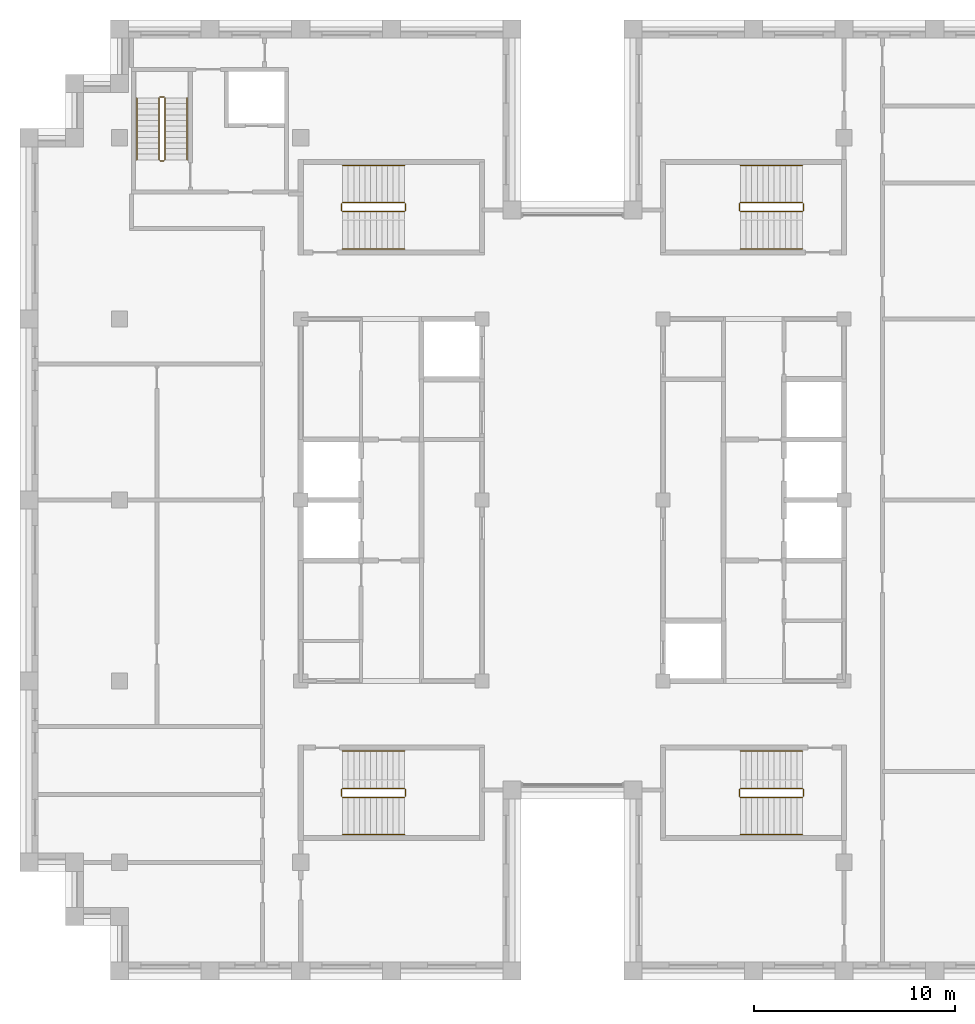
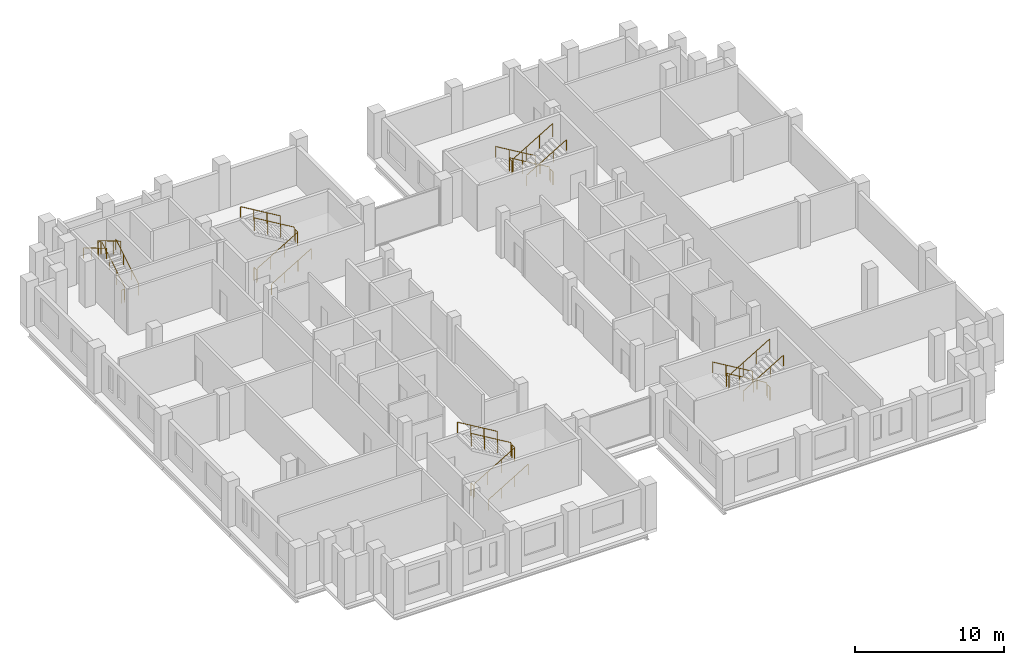
# One storey, part 13 of 13: 5 railings.
"""IFC4 building model written with IfcOpenShell, lengths in metres."""

from ifc_helpers import new_model, si_unit, direction, frame, origin, origin_2d, place, context, subcontext, project, spatial, circle, extrude, material, type_object, element, save


model = new_model("IFC4")

# Units and contexts
model_context = context("Model", 3, precision=1e-05, world=origin(), true_north=direction((0.0, 1.0)))
body_context = subcontext(model_context, "Body", "Model", "MODEL_VIEW")
ifc_project = project(units=[si_unit("LENGTHUNIT", "METRE"), si_unit("AREAUNIT", "SQUARE_METRE"), si_unit("VOLUMEUNIT", "CUBIC_METRE"), si_unit("PLANEANGLEUNIT", "RADIAN"), si_unit("MASSUNIT", "GRAM", prefix="KILO")], contexts=[model_context])

# Site, building, storey
site_placement = place(None, origin())
site = spatial("IfcSite", under=ifc_project, at=site_placement, CompositionType="ELEMENT")
building_placement = place(site_placement, origin())
building = spatial("IfcBuilding", under=site, at=building_placement, Name="Corbelhall Arena Tower", CompositionType="ELEMENT")
storey_placement = place(building_placement, frame((0.0, 0.0, 304.0)))
storey = spatial("IfcBuildingStorey", under=building, at=storey_placement, Name="L66", CompositionType="ELEMENT", Elevation=304.0)

# Railings
ifc_material = material(Name="Steel ASTM A500 Gr C", Category="steel")
railing_type = type_object("IfcRailingType", Name="IN-GD-1100", PredefinedType="GUARDRAIL", material=ifc_material)
railing_1_placement = place(storey_placement, frame((-11.425048828125, 14.324951171875, 0.166748046875)))
element("IfcRailing", 1, at=railing_1_placement, inside=storey, type_object=railing_type, Name="L66 ST1 stair guards and handrails", PredefinedType="GUARDRAIL", context=body_context, shape_type="SweptSolid", body=[
    extrude(circle(Radius=0.02392578125, at=origin_2d()), frame((0.0, 0.0, 1.076171875), z_axis=(0.859308565015, 0.0, 0.511457515432), x_axis=(0.0, 1.0, 0.0)), (0.0, 0.0, 1.0), 3.58447265625),
    extrude(circle(Radius=0.02392578125, at=origin_2d()), frame((3.130126953125, 0.050048828125, 2.9091796875), z_axis=(0.0, 1.0, 0.0), x_axis=(-1.0, 0.0, 0.0)), (0.0, 0.0, 1.0), 0.35009765625),
    extrude(circle(Radius=0.02392578125, at=origin_2d()), frame((3.080078125, 0.449951171875, 3.076171875), z_axis=(-0.859308565015, 0.0, 0.511457515432), x_axis=(0.0, -1.0, 0.0)), (0.0, 0.0, 1.0), 3.58447265625),
    extrude(circle(Radius=0.02392578125, at=origin_2d()), frame((-0.050048828125, 0.050048828125, 0.9091796875), z_axis=(0.0, 1.0, 0.0), x_axis=(-1.0, 0.0, 0.0)), (0.0, 0.0, 1.0), 0.35009765625),
    extrude(circle(Radius=0.02392578125, at=origin_2d()), frame((0.0, -1.849853515625, 0.8759765625), z_axis=(0.859308565015, 0.0, 0.511457515432), x_axis=(0.0, 1.0, 0.0)), (0.0, 0.0, 1.0), 3.58447265625),
    extrude(circle(Radius=0.02392578125, at=origin_2d()), frame((3.080078125, 2.300048828125, 2.8759765625), z_axis=(-0.859308565015, 0.0, 0.511457515432), x_axis=(0.0, -1.0, 0.0)), (0.0, 0.0, 1.0), 3.58447265625),
    extrude(circle(Radius=0.02099609375, at=origin_2d()), origin(), (0.0, 0.0, 1.0), 1.052001953125),
    extrude(circle(Radius=0.02099609375, at=origin_2d()), frame((1.026611328125, 0.0, 0.611083984375)), (0.0, 0.0, 1.0), 1.052001953125),
    extrude(circle(Radius=0.02099609375, at=origin_2d()), frame((2.053466796875, 0.0, 1.22216796875)), (0.0, 0.0, 1.0), 1.052001953125),
    extrude(circle(Radius=0.02099609375, at=origin_2d()), frame((3.080078125, 0.0, 1.833251953125)), (0.0, 0.0, 1.0), 1.052001953125),
    extrude(circle(Radius=0.02099609375, at=origin_2d()), frame((3.130126953125, 0.050048828125, 1.833251953125)), (0.0, 0.0, 1.0), 1.052001953125),
    extrude(circle(Radius=0.02099609375, at=origin_2d()), frame((3.130126953125, 0.400146484375, 1.833251953125)), (0.0, 0.0, 1.0), 1.052001953125),
    extrude(circle(Radius=0.02099609375, at=origin_2d()), frame((3.080078125, 0.449951171875, 2.0)), (0.0, 0.0, 1.0), 1.052001953125),
    extrude(circle(Radius=0.02099609375, at=origin_2d()), frame((2.053466796875, 0.449951171875, 2.611083984375)), (0.0, 0.0, 1.0), 1.052001953125),
    extrude(circle(Radius=0.02099609375, at=origin_2d()), frame((1.026611328125, 0.449951171875, 3.22216796875)), (0.0, 0.0, 1.0), 1.052001953125),
    extrude(circle(Radius=0.02099609375, at=origin_2d()), frame((0.0, 0.449951171875, 3.833251953125)), (0.0, 0.0, 1.0), 1.052001953125),
    extrude(circle(Radius=0.02099609375, at=origin_2d()), frame((-0.050048828125, 0.050048828125, -0.166748046875)), (0.0, 0.0, 1.0), 1.052001953125),
    extrude(circle(Radius=0.02099609375, at=origin_2d()), frame((-0.050048828125, 0.400146484375, -0.166748046875)), (0.0, 0.0, 1.0), 1.052001953125),
    extrude(circle(Radius=0.02099609375, at=origin_2d()), frame((0.0, -1.849853515625, 0.0)), (0.0, 0.0, 1.0), 0.851806640625),
    extrude(circle(Radius=0.02099609375, at=origin_2d()), frame((1.026611328125, -1.849853515625, 0.611083984375)), (0.0, 0.0, 1.0), 0.851806640625),
    extrude(circle(Radius=0.02099609375, at=origin_2d()), frame((2.053466796875, -1.849853515625, 1.22216796875)), (0.0, 0.0, 1.0), 0.851806640625),
    extrude(circle(Radius=0.02099609375, at=origin_2d()), frame((3.080078125, -1.849853515625, 1.833251953125)), (0.0, 0.0, 1.0), 0.851806640625),
    extrude(circle(Radius=0.02099609375, at=origin_2d()), frame((3.080078125, 2.300048828125, 2.0)), (0.0, 0.0, 1.0), 0.851806640625),
    extrude(circle(Radius=0.02099609375, at=origin_2d()), frame((2.053466796875, 2.300048828125, 2.611083984375)), (0.0, 0.0, 1.0), 0.851806640625),
    extrude(circle(Radius=0.02099609375, at=origin_2d()), frame((1.026611328125, 2.300048828125, 3.22216796875)), (0.0, 0.0, 1.0), 0.851806640625),
    extrude(circle(Radius=0.02099609375, at=origin_2d()), frame((0.0, 2.300048828125, 3.833251953125)), (0.0, 0.0, 1.0), 0.851806640625),
])
railing_2_placement = place(storey_placement, frame((-11.425048828125, -14.77490234375, 0.166748046875)))
element("IfcRailing", 2, at=railing_2_placement, inside=storey, type_object=railing_type, Name="L66 ST2 stair guards and handrails", PredefinedType="GUARDRAIL", context=body_context, shape_type="SweptSolid", body=[
    extrude(circle(Radius=0.02392578125, at=origin_2d()), frame((0.0, 0.0, 1.076171875), z_axis=(0.859308565015, 0.0, 0.511457515432), x_axis=(0.0, 1.0, 0.0)), (0.0, 0.0, 1.0), 3.58447265625),
    extrude(circle(Radius=0.02392578125, at=origin_2d()), frame((3.130126953125, 0.0498046875, 2.9091796875), z_axis=(0.0, 1.0, 0.0), x_axis=(-1.0, 0.0, 0.0)), (0.0, 0.0, 1.0), 0.35009765625),
    extrude(circle(Radius=0.02392578125, at=origin_2d()), frame((3.080078125, 0.449951171875, 3.076171875), z_axis=(-0.859308565015, 0.0, 0.511457515432), x_axis=(0.0, -1.0, 0.0)), (0.0, 0.0, 1.0), 3.58447265625),
    extrude(circle(Radius=0.02392578125, at=origin_2d()), frame((-0.050048828125, 0.0498046875, 0.9091796875), z_axis=(0.0, 1.0, 0.0), x_axis=(-1.0, 0.0, 0.0)), (0.0, 0.0, 1.0), 0.35009765625),
    extrude(circle(Radius=0.02392578125, at=origin_2d()), frame((0.0, -1.85009765625, 0.8759765625), z_axis=(0.859308565015, 0.0, 0.511457515432), x_axis=(0.0, 1.0, 0.0)), (0.0, 0.0, 1.0), 3.58447265625),
    extrude(circle(Radius=0.02392578125, at=origin_2d()), frame((3.080078125, 2.2998046875, 2.8759765625), z_axis=(-0.859308565015, 0.0, 0.511457515432), x_axis=(0.0, -1.0, 0.0)), (0.0, 0.0, 1.0), 3.58447265625),
    extrude(circle(Radius=0.02099609375, at=origin_2d()), origin(), (0.0, 0.0, 1.0), 1.052001953125),
    extrude(circle(Radius=0.02099609375, at=origin_2d()), frame((1.026611328125, 0.0, 0.611083984375)), (0.0, 0.0, 1.0), 1.052001953125),
    extrude(circle(Radius=0.02099609375, at=origin_2d()), frame((2.053466796875, 0.0, 1.22216796875)), (0.0, 0.0, 1.0), 1.052001953125),
    extrude(circle(Radius=0.02099609375, at=origin_2d()), frame((3.080078125, 0.0, 1.833251953125)), (0.0, 0.0, 1.0), 1.052001953125),
    extrude(circle(Radius=0.02099609375, at=origin_2d()), frame((3.130126953125, 0.0498046875, 1.833251953125)), (0.0, 0.0, 1.0), 1.052001953125),
    extrude(circle(Radius=0.02099609375, at=origin_2d()), frame((3.130126953125, 0.39990234375, 1.833251953125)), (0.0, 0.0, 1.0), 1.052001953125),
    extrude(circle(Radius=0.02099609375, at=origin_2d()), frame((3.080078125, 0.449951171875, 2.0)), (0.0, 0.0, 1.0), 1.052001953125),
    extrude(circle(Radius=0.02099609375, at=origin_2d()), frame((2.053466796875, 0.449951171875, 2.611083984375)), (0.0, 0.0, 1.0), 1.052001953125),
    extrude(circle(Radius=0.02099609375, at=origin_2d()), frame((1.026611328125, 0.449951171875, 3.22216796875)), (0.0, 0.0, 1.0), 1.052001953125),
    extrude(circle(Radius=0.02099609375, at=origin_2d()), frame((0.0, 0.449951171875, 3.833251953125)), (0.0, 0.0, 1.0), 1.052001953125),
    extrude(circle(Radius=0.02099609375, at=origin_2d()), frame((-0.050048828125, 0.0498046875, -0.166748046875)), (0.0, 0.0, 1.0), 1.052001953125),
    extrude(circle(Radius=0.02099609375, at=origin_2d()), frame((-0.050048828125, 0.39990234375, -0.166748046875)), (0.0, 0.0, 1.0), 1.052001953125),
    extrude(circle(Radius=0.02099609375, at=origin_2d()), frame((0.0, -1.85009765625, 0.0)), (0.0, 0.0, 1.0), 0.851806640625),
    extrude(circle(Radius=0.02099609375, at=origin_2d()), frame((1.026611328125, -1.85009765625, 0.611083984375)), (0.0, 0.0, 1.0), 0.851806640625),
    extrude(circle(Radius=0.02099609375, at=origin_2d()), frame((2.053466796875, -1.85009765625, 1.22216796875)), (0.0, 0.0, 1.0), 0.851806640625),
    extrude(circle(Radius=0.02099609375, at=origin_2d()), frame((3.080078125, -1.85009765625, 1.833251953125)), (0.0, 0.0, 1.0), 0.851806640625),
    extrude(circle(Radius=0.02099609375, at=origin_2d()), frame((3.080078125, 2.2998046875, 2.0)), (0.0, 0.0, 1.0), 0.851806640625),
    extrude(circle(Radius=0.02099609375, at=origin_2d()), frame((2.053466796875, 2.2998046875, 2.611083984375)), (0.0, 0.0, 1.0), 0.851806640625),
    extrude(circle(Radius=0.02099609375, at=origin_2d()), frame((1.026611328125, 2.2998046875, 3.22216796875)), (0.0, 0.0, 1.0), 0.851806640625),
    extrude(circle(Radius=0.02099609375, at=origin_2d()), frame((0.0, 2.2998046875, 3.833251953125)), (0.0, 0.0, 1.0), 0.851806640625),
])
railing_3_placement = place(storey_placement, frame((11.425048828125, 14.77490234375, 0.166748046875)))
element("IfcRailing", 3, at=railing_3_placement, inside=storey, type_object=railing_type, Name="L66 ST3 stair guards and handrails", PredefinedType="GUARDRAIL", context=body_context, shape_type="SweptSolid", body=[
    extrude(circle(Radius=0.02392578125, at=origin_2d()), frame((0.0, 0.0, 1.076171875), z_axis=(-0.859308565015, 0.0, 0.511457515432), x_axis=(0.0, -1.0, 0.0)), (0.0, 0.0, 1.0), 3.58447265625),
    extrude(circle(Radius=0.02392578125, at=origin_2d()), frame((-3.130126953125, -0.0498046875, 2.9091796875), z_axis=(0.0, -1.0, 0.0), x_axis=(1.0, 0.0, 0.0)), (0.0, 0.0, 1.0), 0.35009765625),
    extrude(circle(Radius=0.02392578125, at=origin_2d()), frame((-3.080078125, -0.449951171875, 3.076171875), z_axis=(0.859308565015, 0.0, 0.511457515432), x_axis=(0.0, 1.0, 0.0)), (0.0, 0.0, 1.0), 3.58447265625),
    extrude(circle(Radius=0.02392578125, at=origin_2d()), frame((0.050048828125, -0.0498046875, 0.9091796875), z_axis=(0.0, -1.0, 0.0), x_axis=(1.0, 0.0, 0.0)), (0.0, 0.0, 1.0), 0.35009765625),
    extrude(circle(Radius=0.02392578125, at=origin_2d()), frame((0.0, 1.85009765625, 0.8759765625), z_axis=(-0.859308565015, 0.0, 0.511457515432), x_axis=(0.0, -1.0, 0.0)), (0.0, 0.0, 1.0), 3.58447265625),
    extrude(circle(Radius=0.02392578125, at=origin_2d()), frame((-3.080078125, -2.2998046875, 2.8759765625), z_axis=(0.859308565015, 0.0, 0.511457515432), x_axis=(0.0, 1.0, 0.0)), (0.0, 0.0, 1.0), 3.58447265625),
    extrude(circle(Radius=0.02099609375, at=origin_2d()), origin(), (0.0, 0.0, 1.0), 1.052001953125),
    extrude(circle(Radius=0.02099609375, at=origin_2d()), frame((-1.026611328125, 0.0, 0.611083984375)), (0.0, 0.0, 1.0), 1.052001953125),
    extrude(circle(Radius=0.02099609375, at=origin_2d()), frame((-2.053466796875, 0.0, 1.22216796875)), (0.0, 0.0, 1.0), 1.052001953125),
    extrude(circle(Radius=0.02099609375, at=origin_2d()), frame((-3.080078125, 0.0, 1.833251953125)), (0.0, 0.0, 1.0), 1.052001953125),
    extrude(circle(Radius=0.02099609375, at=origin_2d()), frame((-3.130126953125, -0.0498046875, 1.833251953125)), (0.0, 0.0, 1.0), 1.052001953125),
    extrude(circle(Radius=0.02099609375, at=origin_2d()), frame((-3.130126953125, -0.39990234375, 1.833251953125)), (0.0, 0.0, 1.0), 1.052001953125),
    extrude(circle(Radius=0.02099609375, at=origin_2d()), frame((-3.080078125, -0.449951171875, 2.0)), (0.0, 0.0, 1.0), 1.052001953125),
    extrude(circle(Radius=0.02099609375, at=origin_2d()), frame((-2.053466796875, -0.449951171875, 2.611083984375)), (0.0, 0.0, 1.0), 1.052001953125),
    extrude(circle(Radius=0.02099609375, at=origin_2d()), frame((-1.026611328125, -0.449951171875, 3.22216796875)), (0.0, 0.0, 1.0), 1.052001953125),
    extrude(circle(Radius=0.02099609375, at=origin_2d()), frame((0.0, -0.449951171875, 3.833251953125)), (0.0, 0.0, 1.0), 1.052001953125),
    extrude(circle(Radius=0.02099609375, at=origin_2d()), frame((0.050048828125, -0.0498046875, -0.166748046875)), (0.0, 0.0, 1.0), 1.052001953125),
    extrude(circle(Radius=0.02099609375, at=origin_2d()), frame((0.050048828125, -0.39990234375, -0.166748046875)), (0.0, 0.0, 1.0), 1.052001953125),
    extrude(circle(Radius=0.02099609375, at=origin_2d()), frame((0.0, 1.85009765625, 0.0)), (0.0, 0.0, 1.0), 0.851806640625),
    extrude(circle(Radius=0.02099609375, at=origin_2d()), frame((-1.026611328125, 1.85009765625, 0.611083984375)), (0.0, 0.0, 1.0), 0.851806640625),
    extrude(circle(Radius=0.02099609375, at=origin_2d()), frame((-2.053466796875, 1.85009765625, 1.22216796875)), (0.0, 0.0, 1.0), 0.851806640625),
    extrude(circle(Radius=0.02099609375, at=origin_2d()), frame((-3.080078125, 1.85009765625, 1.833251953125)), (0.0, 0.0, 1.0), 0.851806640625),
    extrude(circle(Radius=0.02099609375, at=origin_2d()), frame((-3.080078125, -2.2998046875, 2.0)), (0.0, 0.0, 1.0), 0.851806640625),
    extrude(circle(Radius=0.02099609375, at=origin_2d()), frame((-2.053466796875, -2.2998046875, 2.611083984375)), (0.0, 0.0, 1.0), 0.851806640625),
    extrude(circle(Radius=0.02099609375, at=origin_2d()), frame((-1.026611328125, -2.2998046875, 3.22216796875)), (0.0, 0.0, 1.0), 0.851806640625),
    extrude(circle(Radius=0.02099609375, at=origin_2d()), frame((0.0, -2.2998046875, 3.833251953125)), (0.0, 0.0, 1.0), 0.851806640625),
])
railing_4_placement = place(storey_placement, frame((11.425048828125, -14.324951171875, 0.166748046875)))
element("IfcRailing", 4, at=railing_4_placement, inside=storey, type_object=railing_type, Name="L66 ST4 stair guards and handrails", PredefinedType="GUARDRAIL", context=body_context, shape_type="SweptSolid", body=[
    extrude(circle(Radius=0.02392578125, at=origin_2d()), frame((0.0, 0.0, 1.076171875), z_axis=(-0.859308565015, 0.0, 0.511457515432), x_axis=(0.0, -1.0, 0.0)), (0.0, 0.0, 1.0), 3.58447265625),
    extrude(circle(Radius=0.02392578125, at=origin_2d()), frame((-3.130126953125, -0.050048828125, 2.9091796875), z_axis=(0.0, -1.0, 0.0), x_axis=(1.0, 0.0, 0.0)), (0.0, 0.0, 1.0), 0.35009765625),
    extrude(circle(Radius=0.02392578125, at=origin_2d()), frame((-3.080078125, -0.449951171875, 3.076171875), z_axis=(0.859308565015, 0.0, 0.511457515432), x_axis=(0.0, 1.0, 0.0)), (0.0, 0.0, 1.0), 3.58447265625),
    extrude(circle(Radius=0.02392578125, at=origin_2d()), frame((0.050048828125, -0.050048828125, 0.9091796875), z_axis=(0.0, -1.0, 0.0), x_axis=(1.0, 0.0, 0.0)), (0.0, 0.0, 1.0), 0.35009765625),
    extrude(circle(Radius=0.02392578125, at=origin_2d()), frame((0.0, 1.849853515625, 0.8759765625), z_axis=(-0.859308565015, 0.0, 0.511457515432), x_axis=(0.0, -1.0, 0.0)), (0.0, 0.0, 1.0), 3.58447265625),
    extrude(circle(Radius=0.02392578125, at=origin_2d()), frame((-3.080078125, -2.300048828125, 2.8759765625), z_axis=(0.859308565015, 0.0, 0.511457515432), x_axis=(0.0, 1.0, 0.0)), (0.0, 0.0, 1.0), 3.58447265625),
    extrude(circle(Radius=0.02099609375, at=origin_2d()), origin(), (0.0, 0.0, 1.0), 1.052001953125),
    extrude(circle(Radius=0.02099609375, at=origin_2d()), frame((-1.026611328125, 0.0, 0.611083984375)), (0.0, 0.0, 1.0), 1.052001953125),
    extrude(circle(Radius=0.02099609375, at=origin_2d()), frame((-2.053466796875, 0.0, 1.22216796875)), (0.0, 0.0, 1.0), 1.052001953125),
    extrude(circle(Radius=0.02099609375, at=origin_2d()), frame((-3.080078125, 0.0, 1.833251953125)), (0.0, 0.0, 1.0), 1.052001953125),
    extrude(circle(Radius=0.02099609375, at=origin_2d()), frame((-3.130126953125, -0.050048828125, 1.833251953125)), (0.0, 0.0, 1.0), 1.052001953125),
    extrude(circle(Radius=0.02099609375, at=origin_2d()), frame((-3.130126953125, -0.400146484375, 1.833251953125)), (0.0, 0.0, 1.0), 1.052001953125),
    extrude(circle(Radius=0.02099609375, at=origin_2d()), frame((-3.080078125, -0.449951171875, 2.0)), (0.0, 0.0, 1.0), 1.052001953125),
    extrude(circle(Radius=0.02099609375, at=origin_2d()), frame((-2.053466796875, -0.449951171875, 2.611083984375)), (0.0, 0.0, 1.0), 1.052001953125),
    extrude(circle(Radius=0.02099609375, at=origin_2d()), frame((-1.026611328125, -0.449951171875, 3.22216796875)), (0.0, 0.0, 1.0), 1.052001953125),
    extrude(circle(Radius=0.02099609375, at=origin_2d()), frame((0.0, -0.449951171875, 3.833251953125)), (0.0, 0.0, 1.0), 1.052001953125),
    extrude(circle(Radius=0.02099609375, at=origin_2d()), frame((0.050048828125, -0.050048828125, -0.166748046875)), (0.0, 0.0, 1.0), 1.052001953125),
    extrude(circle(Radius=0.02099609375, at=origin_2d()), frame((0.050048828125, -0.400146484375, -0.166748046875)), (0.0, 0.0, 1.0), 1.052001953125),
    extrude(circle(Radius=0.02099609375, at=origin_2d()), frame((0.0, 1.849853515625, 0.0)), (0.0, 0.0, 1.0), 0.851806640625),
    extrude(circle(Radius=0.02099609375, at=origin_2d()), frame((-1.026611328125, 1.849853515625, 0.611083984375)), (0.0, 0.0, 1.0), 0.851806640625),
    extrude(circle(Radius=0.02099609375, at=origin_2d()), frame((-2.053466796875, 1.849853515625, 1.22216796875)), (0.0, 0.0, 1.0), 0.851806640625),
    extrude(circle(Radius=0.02099609375, at=origin_2d()), frame((-3.080078125, 1.849853515625, 1.833251953125)), (0.0, 0.0, 1.0), 0.851806640625),
    extrude(circle(Radius=0.02099609375, at=origin_2d()), frame((-3.080078125, -2.300048828125, 2.0)), (0.0, 0.0, 1.0), 0.851806640625),
    extrude(circle(Radius=0.02099609375, at=origin_2d()), frame((-2.053466796875, -2.300048828125, 2.611083984375)), (0.0, 0.0, 1.0), 0.851806640625),
    extrude(circle(Radius=0.02099609375, at=origin_2d()), frame((-1.026611328125, -2.300048828125, 3.22216796875)), (0.0, 0.0, 1.0), 0.851806640625),
    extrude(circle(Radius=0.02099609375, at=origin_2d()), frame((0.0, -2.300048828125, 3.833251953125)), (0.0, 0.0, 1.0), 0.851806640625),
])
railing_5_placement = place(storey_placement, frame((-20.2451171875, 16.89990234375, 0.166748046875)))
element("IfcRailing", 5, at=railing_5_placement, inside=storey, type_object=railing_type, Name="L66 ST5 stair guards and handrails", PredefinedType="GUARDRAIL", context=body_context, shape_type="SweptSolid", body=[
    extrude(circle(Radius=0.02392578125, at=origin_2d()), frame((0.0, 0.0, 1.076171875), z_axis=(0.0, 0.859308565015, 0.511457515432), x_axis=(-1.0, 0.0, 0.0)), (0.0, 0.0, 1.0), 3.58447265625),
    extrude(circle(Radius=0.02392578125, at=origin_2d()), frame((-0.0498046875, 3.130126953125, 2.9091796875), z_axis=(-1.0, 0.0, 0.0), x_axis=(0.0, -1.0, 0.0)), (0.0, 0.0, 1.0), 0.2001953125),
    extrude(circle(Radius=0.02392578125, at=origin_2d()), frame((-0.2998046875, 3.080078125, 3.076171875), z_axis=(0.0, -0.859308565015, 0.511457515432), x_axis=(1.0, 0.0, 0.0)), (0.0, 0.0, 1.0), 3.58447265625),
    extrude(circle(Radius=0.02392578125, at=origin_2d()), frame((-0.0498046875, -0.0498046875, 0.9091796875), z_axis=(-1.0, 0.0, 0.0), x_axis=(0.0, -1.0, 0.0)), (0.0, 0.0, 1.0), 0.2001953125),
    extrude(circle(Radius=0.02392578125, at=origin_2d()), frame((1.10009765625, 0.0, 0.8759765625), z_axis=(0.0, 0.859308565015, 0.511457515432), x_axis=(-1.0, 0.0, 0.0)), (0.0, 0.0, 1.0), 3.58447265625),
    extrude(circle(Radius=0.02392578125, at=origin_2d()), frame((-1.39990234375, 3.080078125, 2.8759765625), z_axis=(0.0, -0.859308565015, 0.511457515432), x_axis=(1.0, 0.0, 0.0)), (0.0, 0.0, 1.0), 3.58447265625),
    extrude(circle(Radius=0.02099609375, at=origin_2d()), origin(), (0.0, 0.0, 1.0), 1.052001953125),
    extrude(circle(Radius=0.02099609375, at=origin_2d()), frame((0.0, 1.026611328125, 0.611083984375)), (0.0, 0.0, 1.0), 1.052001953125),
    extrude(circle(Radius=0.02099609375, at=origin_2d()), frame((0.0, 2.053466796875, 1.22216796875)), (0.0, 0.0, 1.0), 1.052001953125),
    extrude(circle(Radius=0.02099609375, at=origin_2d()), frame((0.0, 3.080078125, 1.833251953125)), (0.0, 0.0, 1.0), 1.052001953125),
    extrude(circle(Radius=0.02099609375, at=origin_2d()), frame((-0.0498046875, 3.130126953125, 1.833251953125)), (0.0, 0.0, 1.0), 1.052001953125),
    extrude(circle(Radius=0.02099609375, at=origin_2d()), frame((-0.25, 3.130126953125, 1.833251953125)), (0.0, 0.0, 1.0), 1.052001953125),
    extrude(circle(Radius=0.02099609375, at=origin_2d()), frame((-0.2998046875, 3.080078125, 2.0)), (0.0, 0.0, 1.0), 1.052001953125),
    extrude(circle(Radius=0.02099609375, at=origin_2d()), frame((-0.2998046875, 2.053466796875, 2.611083984375)), (0.0, 0.0, 1.0), 1.052001953125),
    extrude(circle(Radius=0.02099609375, at=origin_2d()), frame((-0.2998046875, 1.026611328125, 3.22216796875)), (0.0, 0.0, 1.0), 1.052001953125),
    extrude(circle(Radius=0.02099609375, at=origin_2d()), frame((-0.2998046875, 0.0, 3.833251953125)), (0.0, 0.0, 1.0), 1.052001953125),
    extrude(circle(Radius=0.02099609375, at=origin_2d()), frame((-0.0498046875, -0.0498046875, -0.166748046875)), (0.0, 0.0, 1.0), 1.052001953125),
    extrude(circle(Radius=0.02099609375, at=origin_2d()), frame((-0.25, -0.0498046875, -0.166748046875)), (0.0, 0.0, 1.0), 1.052001953125),
    extrude(circle(Radius=0.02099609375, at=origin_2d()), frame((1.10009765625, 0.0, 0.0)), (0.0, 0.0, 1.0), 0.851806640625),
    extrude(circle(Radius=0.02099609375, at=origin_2d()), frame((1.10009765625, 1.026611328125, 0.611083984375)), (0.0, 0.0, 1.0), 0.851806640625),
    extrude(circle(Radius=0.02099609375, at=origin_2d()), frame((1.10009765625, 2.053466796875, 1.22216796875)), (0.0, 0.0, 1.0), 0.851806640625),
    extrude(circle(Radius=0.02099609375, at=origin_2d()), frame((1.10009765625, 3.080078125, 1.833251953125)), (0.0, 0.0, 1.0), 0.851806640625),
    extrude(circle(Radius=0.02099609375, at=origin_2d()), frame((-1.39990234375, 3.080078125, 2.0)), (0.0, 0.0, 1.0), 0.851806640625),
    extrude(circle(Radius=0.02099609375, at=origin_2d()), frame((-1.39990234375, 2.053466796875, 2.611083984375)), (0.0, 0.0, 1.0), 0.851806640625),
    extrude(circle(Radius=0.02099609375, at=origin_2d()), frame((-1.39990234375, 1.026611328125, 3.22216796875)), (0.0, 0.0, 1.0), 0.851806640625),
    extrude(circle(Radius=0.02099609375, at=origin_2d()), frame((-1.39990234375, 0.0, 3.833251953125)), (0.0, 0.0, 1.0), 0.851806640625),
])

save(model, "model.ifc")
